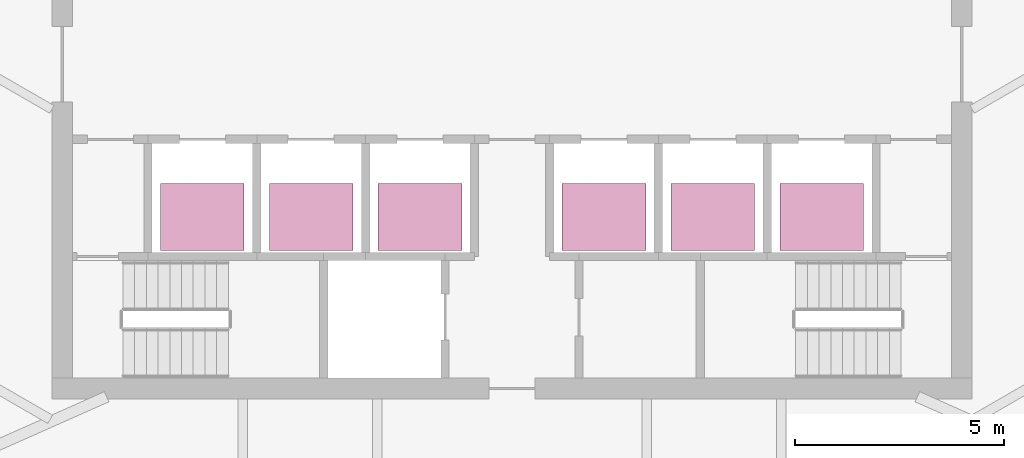
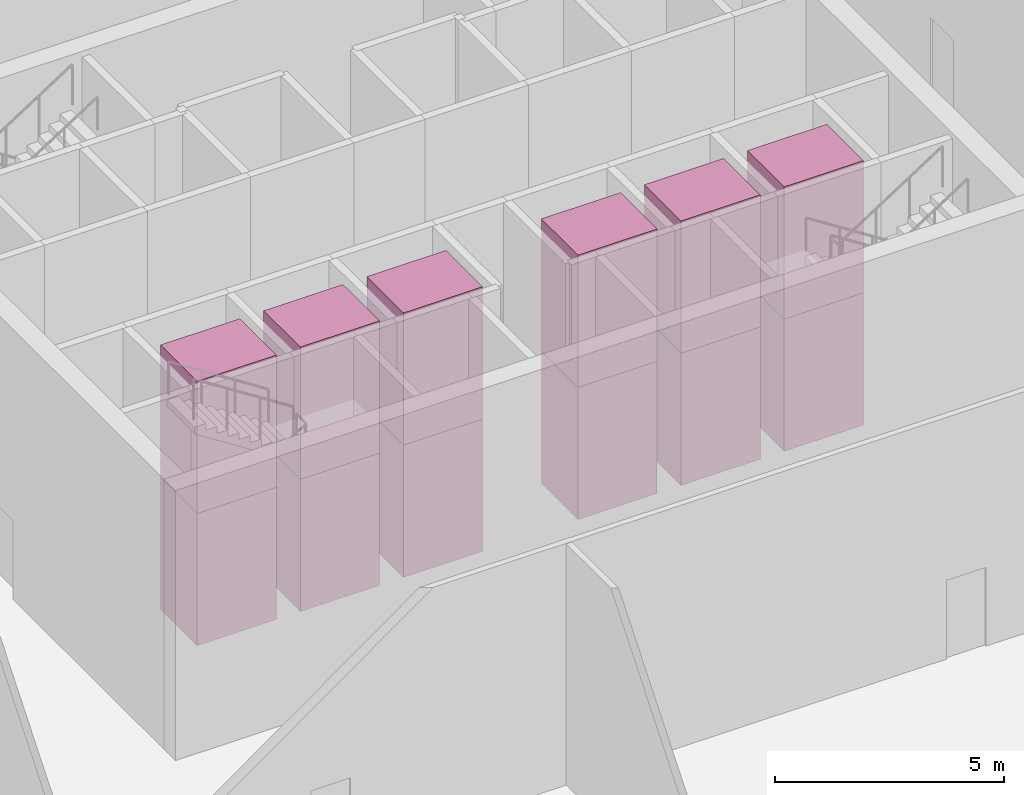
# One storey, part 23 of 23: 12 transport elements.
"""IFC4 building model written with IfcOpenShell, lengths in metres."""

from ifc_helpers import new_model, si_unit, direction, frame, origin, origin_2d, place, context, subcontext, project, spatial, rectangle, extrude, material, type_object, element, save


model = new_model("IFC4")

# Units and contexts
model_context = context("Model", 3, precision=1e-05, world=origin(), true_north=direction((0.0, 1.0)))
body_context = subcontext(model_context, "Body", "Model", "MODEL_VIEW")
ifc_project = project(units=[si_unit("LENGTHUNIT", "METRE"), si_unit("AREAUNIT", "SQUARE_METRE"), si_unit("VOLUMEUNIT", "CUBIC_METRE"), si_unit("PLANEANGLEUNIT", "RADIAN"), si_unit("MASSUNIT", "GRAM", prefix="KILO")], contexts=[model_context])

# Site, building, storey
site_placement = place(None, origin())
site = spatial("IfcSite", under=ifc_project, at=site_placement, CompositionType="ELEMENT")
building_placement = place(site_placement, origin())
building = spatial("IfcBuilding", under=site, at=building_placement, Name="Sierra Prisma Convention Tower", CompositionType="ELEMENT")
storey_placement = place(building_placement, frame((0.0, 0.0, 40.800048828125)))
storey = spatial("IfcBuildingStorey", under=building, at=storey_placement, Name="L06", CompositionType="ELEMENT", Elevation=40.800048828125)

# Transport elements
ifc_material = material(Name="Stainless steel", Category="steel")
transport_element_type = type_object("IfcTransportElementType", Name="Lift car hotel 2000x1600 1600 kg", PredefinedType="ELEVATOR", material=ifc_material)
for number, where, z_axis, x_axis, name in (
    (1, (-7.39990234375, -3.64990234375, 0.0), (0.0, 0.0, 1.0), (1.0, 0.0, 0.0), "Lift HT1"),
    (2, (-7.39990234375, -3.64990234375, 3.52490234375), (0.0, 0.0, 1.0), (1.0, 0.0, 0.0), "Lift HT1"),
    (3, (-4.800048828125, -3.64990234375, 0.0), (0.0, 0.0, 1.0), (1.0, 0.0, 0.0), "Lift HT2"),
    (4, (-4.800048828125, -3.64990234375, 3.52490234375), (0.0, 0.0, 1.0), (1.0, 0.0, 0.0), "Lift HT2"),
    (5, (-2.199951171875, -3.64990234375, 0.0), (0.0, 0.0, 1.0), (1.0, 0.0, 0.0), "Lift HT3"),
    (6, (-2.199951171875, -3.64990234375, 3.52490234375), (0.0, 0.0, 1.0), (1.0, 0.0, 0.0), "Lift HT3"),
    (7, (2.199951171875, -3.64990234375, 0.0), (0.0, 0.0, 1.0), (1.0, 0.0, 0.0), "Lift HT4"),
    (8, (2.199951171875, -3.64990234375, 3.52490234375), (0.0, 0.0, 1.0), (1.0, 0.0, 0.0), "Lift HT4"),
    (9, (4.800048828125, -3.64990234375, 0.0), (0.0, 0.0, 1.0), (1.0, 0.0, 0.0), "Lift HT5"),
    (10, (4.800048828125, -3.64990234375, 3.52490234375), (0.0, 0.0, 1.0), (1.0, 0.0, 0.0), "Lift HT5"),
    (11, (7.39990234375, -3.64990234375, 0.0), (0.0, 0.0, 1.0), (1.0, 0.0, 0.0), "Lift HT6"),
    (12, (7.39990234375, -3.64990234375, 3.52490234375), (0.0, 0.0, 1.0), (1.0, 0.0, 0.0), "Lift HT6"),
):
    element("IfcTransportElement", number, at=place(storey_placement, frame(where, z_axis=z_axis, x_axis=x_axis)), inside=storey, type_object=transport_element_type, Name=name, PredefinedType="ELEVATOR", context=body_context, shape_type="SweptSolid", body=[
        extrude(rectangle(XDim=2.0, YDim=1.60009765625, at=origin_2d()), origin(), (0.0, 0.0, 1.0), 3.52490234375),
    ])

save(model, "model.ifc")
